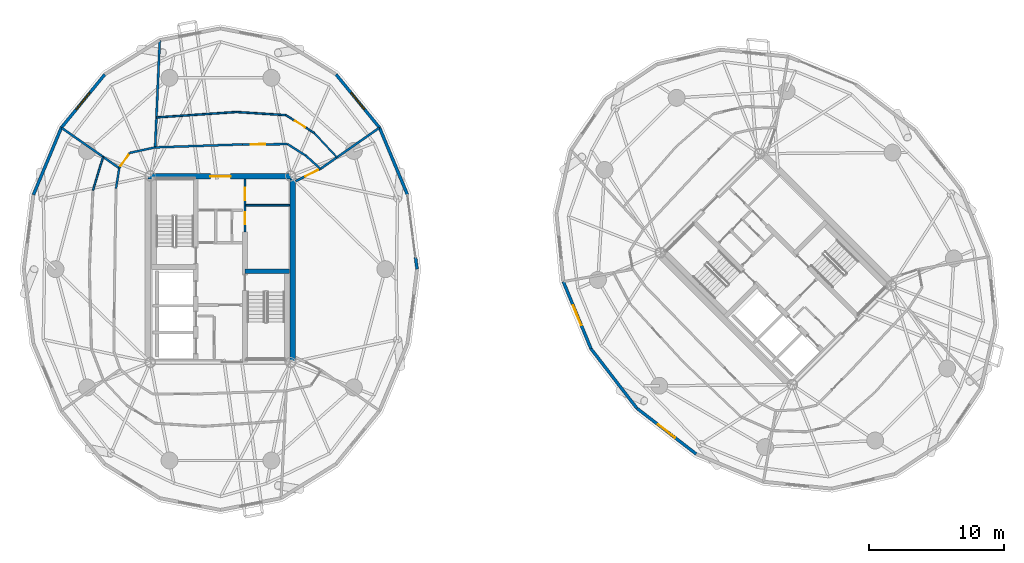
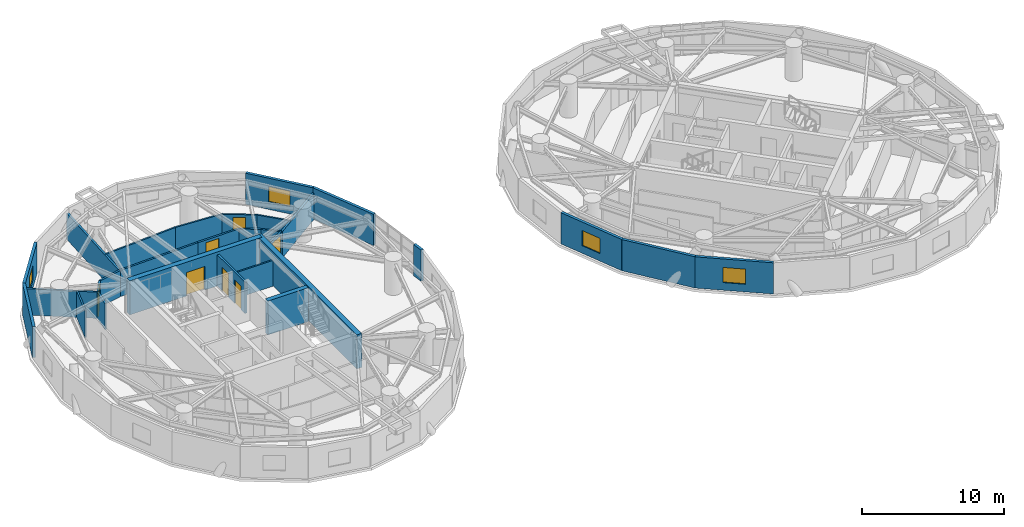
# One storey, part 11 of 17: 29 walls, 7 doors, 4 windows, 11 openings.
"""IFC4 building model written with IfcOpenShell, lengths in metres."""

from ifc_helpers import new_model, si_unit, direction, frame, frame_2d, origin, place, context, subcontext, project, spatial, rectangle, extrude, source, transform, mapped, material, layer, layer_set, type_object, element, fill, save


model = new_model("IFC4")

# Units and contexts
model_context = context("Model", 3, precision=1e-05, world=origin(), true_north=direction((0.0, 1.0)))
body_context = subcontext(model_context, "Body", "Model", "MODEL_VIEW")
ifc_project = project(units=[si_unit("LENGTHUNIT", "METRE"), si_unit("AREAUNIT", "SQUARE_METRE"), si_unit("VOLUMEUNIT", "CUBIC_METRE"), si_unit("PLANEANGLEUNIT", "RADIAN"), si_unit("MASSUNIT", "GRAM", prefix="KILO")], contexts=[model_context])

# Site, building, storey
site_placement = place(None, origin())
site = spatial("IfcSite", under=ifc_project, at=site_placement, CompositionType="ELEMENT")
building_placement = place(site_placement, origin())
building = spatial("IfcBuilding", under=site, at=building_placement, Name="Cununo Teusaquillo Station Towers", CompositionType="ELEMENT")
storey_placement = place(building_placement, frame((0.0, 0.0, 166.14990234375)))
storey = spatial("IfcBuildingStorey", under=building, at=storey_placement, Name="L52", CompositionType="ELEMENT", Elevation=166.14990234375)

# Walls
ifc_material_1 = material(Name="Concrete C50/60", Category="concrete")
ifc_layer_1 = layer(ifc_material_1, 0.35009765625)
ifc_layer_set_1 = layer_set([ifc_layer_1], Name="Concrete C50/60")
wall_type_1 = type_object("IfcWallType", Name="WL-CORE-350", PredefinedType="SHEAR", material=ifc_layer_set_1)
wall_1_placement = place(storey_placement, frame((18.31494140625, 24.344970703125, 0.0), z_axis=(0.0, 0.0, 1.0), x_axis=(1.0, 0.0, 0.0)))
element("IfcWall", 1, at=wall_1_placement, inside=storey, type_object=wall_type_1, Name="L52 Tower A Core Shear Wall ST2N", PredefinedType="SHEAR", context=body_context, shape_type="SweptSolid", body=[
    extrude(rectangle(XDim=3.28515625, YDim=0.35009765625, at=frame_2d((1.642578125, 0.0))), origin(), (0.0, 0.0, 1.0), 2.91015625),
])
ifc_material_2 = material(Name="Concrete C50/60", Category="concrete")
ifc_layer_2 = layer(ifc_material_2, 0.39990234375)
ifc_layer_set_2 = layer_set([ifc_layer_2], Name="Concrete C50/60")
wall_type_2 = type_object("IfcWallType", Name="WL-CORE-400", PredefinedType="SHEAR", material=ifc_layer_set_2)
wall_2_placement = place(storey_placement, frame((21.85009765625, 17.449951171875, 0.0), z_axis=(0.0, 0.0, 1.0), x_axis=(0.0, 1.0, 0.0)))
element("IfcWall", 2, at=wall_2_placement, inside=storey, type_object=wall_type_2, Name="L52 Tower A Core Shear Wall E", PredefinedType="SHEAR", context=body_context, shape_type="SweptSolid", body=[
    extrude(rectangle(XDim=14.10009765625, YDim=0.39990234375, at=frame_2d((7.050048828125, 0.0))), origin(), (0.0, 0.0, 1.0), 2.91015625),
])

# Wall, opening, door
wall_3_placement = place(storey_placement, frame((11.14990234375, 31.35009765625, 0.0), z_axis=(0.0, 0.0, 1.0), x_axis=(1.0, 0.0, 0.0)))
wall_3 = element("IfcWall", 3, at=wall_3_placement, inside=storey, type_object=wall_type_2, Name="L52 Tower A Core Shear Wall N", PredefinedType="SHEAR", context=body_context, shape_type="SweptSolid", body=[
    extrude(rectangle(XDim=10.7001953125, YDim=0.39990234375, at=frame_2d((5.35009765625, 0.0))), origin(), (0.0, 0.0, 1.0), 2.91015625),
])
shared_shape_1 = source(origin(), body_context, "Body", "SweptSolid", [
    extrude(rectangle(XDim=1.5, YDim=2.02001953125, at=frame_2d((0.75, 1.010009765625))), frame((0.0, 0.2099609375, 0.0), z_axis=(0.0, -1.0, 0.0), x_axis=(1.0, 0.0, 0.0)), (0.0, 0.0, 1.0), 0.419921875),
])
opening_1_placement = place(wall_3_placement, frame((4.60009765625, 0.0, 0.0)))
opening_1 = element("IfcOpeningElement", 4, at=opening_1_placement, cuts=wall_3, Name="Opening D-LB1", PredefinedType="OPENING", context=body_context, shape_type="MappedRepresentation", body=[
    mapped(shared_shape_1, transform((0.0, 0.0, 0.0), x_axis=(1.0, 0.0, 0.0), y_axis=(0.0, 1.0, 0.0), z_axis=(0.0, 0.0, 1.0), scale=1.0)),
])
ifc_material_3 = material(Name="Galvanised fire-rated hollow steel door assembly", Category="steel")
door_type_1 = type_object("IfcDoorType", Name="DR-LOBBY-1500", OperationType="DOUBLE_DOOR_SINGLE_SWING", PredefinedType="DOOR", material=ifc_material_3)
shared_shape_2 = source(origin(), body_context, "Body", "SweptSolid", [
    extrude(rectangle(XDim=1.5, YDim=2.02001953125, at=frame_2d((0.75, 1.010009765625))), frame((0.0, 0.02490234375, 0.0), z_axis=(0.0, -1.0, 0.0), x_axis=(1.0, 0.0, 0.0)), (0.0, 0.0, 1.0), 0.050048828125),
])
door_1_placement = place(opening_1_placement, origin())
door_1 = element("IfcDoor", 5, at=door_1_placement, inside=storey, type_object=door_type_1, Name="L52 Tower A North Core Lift Lobby Door", OperationType="DOUBLE_DOOR_SINGLE_SWING", OverallHeight=2.02001953125, OverallWidth=1.5, PredefinedType="DOOR", context=body_context, shape_type="MappedRepresentation", body=[
    mapped(shared_shape_2, transform((0.0, 0.0, 0.0), x_axis=(1.0, 0.0, 0.0), y_axis=(0.0, 1.0, 0.0), z_axis=(0.0, 0.0, 1.0), scale=1.0)),
])
fill(opening_1, door_1)

# Walls
ifc_material_4 = material(Name="Precast concrete C40/50", Category="concrete")
ifc_layer_3 = layer(ifc_material_4, 0.219970703125)
ifc_layer_set_3 = layer_set([ifc_layer_3], Name="Precast concrete C40/50")
wall_type_3 = type_object("IfcWallType", Name="WL-EXT-220", PredefinedType="SOLIDWALL", material=ifc_layer_set_3)
wall_4_placement = place(storey_placement, frame((30.9033203125, 25.36279296875, 0.0), z_axis=(0.0, 0.0, 1.0), x_axis=(0.128247365719, -0.991742211054, 0.0)))
element("IfcWall", 6, at=wall_4_placement, inside=storey, type_object=wall_type_3, Name="L52 Tower A Column Pier Cladding Wall C00-PB", PredefinedType="SOLIDWALL", context=body_context, shape_type="SweptSolid", body=[
    extrude(rectangle(XDim=0.869873046875, YDim=0.219970703125, at=frame_2d((0.43505859375, 0.0))), origin(), (0.0, 0.0, 1.0), 2.675048828125),
])
wall_5_placement = place(storey_placement, frame((28.242919921875, 34.94482421875, 0.0), z_axis=(0.0, 0.0, 1.0), x_axis=(0.384259959969, -0.923224936386, 0.0)))
element("IfcWall", 7, at=wall_5_placement, inside=storey, type_object=wall_type_3, Name="L52 Tower A Exterior Facade Wall C01", PredefinedType="SOLIDWALL", context=body_context, shape_type="SweptSolid", body=[
    extrude(rectangle(XDim=5.365478515625, YDim=0.219970703125, at=frame_2d((2.6826171875, 0.0))), origin(), (0.0, 0.0, 1.0), 2.675048828125),
])

# Wall, opening, window
wall_6_placement = place(storey_placement, frame((25.03173828125, 38.876220703125, 0.0), z_axis=(0.0, 0.0, 1.0), x_axis=(0.632598524901, -0.774479894053, 0.0)))
wall_6 = element("IfcWall", 8, at=wall_6_placement, inside=storey, type_object=wall_type_3, Name="L52 Tower A Exterior Facade Wall C02", PredefinedType="SOLIDWALL", context=body_context, shape_type="SweptSolid", body=[
    extrude(rectangle(XDim=5.076171875, YDim=0.219970703125, at=frame_2d((2.5380859375, 0.0))), origin(), (0.0, 0.0, 1.0), 2.675048828125),
])
shared_shape_3 = source(origin(), body_context, "Body", "SweptSolid", [
    extrude(rectangle(XDim=1.60009765625, YDim=1.300048828125, at=frame_2d((0.800048828125, 0.64990234375))), frame((0.0, 0.119873046875, 0.0), z_axis=(0.0, -1.0, 0.0), x_axis=(1.0, 0.0, 0.0)), (0.0, 0.0, 1.0), 0.239990234375),
])
opening_2_placement = place(wall_6_placement, frame((1.738037109375, 0.0, 0.64990234375)))
opening_2 = element("IfcOpeningElement", 9, at=opening_2_placement, cuts=wall_6, Name="Opening WN-03", PredefinedType="OPENING", context=body_context, shape_type="MappedRepresentation", body=[
    mapped(shared_shape_3, transform((0.0, 0.0, 0.0), x_axis=(1.0, 0.0, 0.0), y_axis=(0.0, 1.0, 0.0), z_axis=(0.0, 0.0, 1.0), scale=1.0)),
])
ifc_material_5 = material(Name="Ceramic-fritted dark low-E double glazing", Category="glass")
window_type = type_object("IfcWindowType", Name="WIN-CORN-1600", PartitioningType="SINGLE_PANEL", PredefinedType="WINDOW", material=ifc_material_5)
shared_shape_4 = source(origin(), body_context, "Body", "SweptSolid", [
    extrude(rectangle(XDim=1.60009765625, YDim=1.300048828125, at=frame_2d((0.800048828125, 0.64990234375))), frame((0.0, 0.030029296875, 0.0), z_axis=(0.0, -1.0, 0.0), x_axis=(1.0, 0.0, 0.0)), (0.0, 0.0, 1.0), 0.06005859375),
])
window_1_placement = place(opening_2_placement, origin())
window_1 = element("IfcWindow", 10, at=window_1_placement, inside=storey, type_object=window_type, Name="L52 Tower A Facade Window C02", OverallHeight=1.300048828125, OverallWidth=1.60009765625, PartitioningType="SINGLE_PANEL", PredefinedType="WINDOW", context=body_context, shape_type="MappedRepresentation", body=[
    mapped(shared_shape_4, transform((0.0, 0.0, 0.0), x_axis=(1.0, 0.0, 0.0), y_axis=(0.0, 1.0, 0.0), z_axis=(0.0, 0.0, 1.0), scale=1.0)),
])
fill(opening_2, window_1)

wall_7_placement = place(storey_placement, frame((4.757080078125, 34.94482421875, 0.0), z_axis=(0.0, 0.0, 1.0), x_axis=(0.632598524901, 0.774479894053, 0.0)))
wall_7 = element("IfcWall", 11, at=wall_7_placement, inside=storey, type_object=wall_type_3, Name="L52 Tower A Exterior Facade Wall C07", PredefinedType="SOLIDWALL", context=body_context, shape_type="SweptSolid", body=[
    extrude(rectangle(XDim=5.076171875, YDim=0.219970703125, at=frame_2d((2.5380859375, 0.0))), origin(), (0.0, 0.0, 1.0), 2.675048828125),
])
opening_3_placement = place(wall_7_placement, frame((1.738037109375, 0.0, 0.64990234375)))
opening_3 = element("IfcOpeningElement", 12, at=opening_3_placement, cuts=wall_7, Name="Opening WN-03", PredefinedType="OPENING", context=body_context, shape_type="MappedRepresentation", body=[
    mapped(shared_shape_3, transform((0.0, 0.0, 0.0), x_axis=(1.0, 0.0, 0.0), y_axis=(0.0, 1.0, 0.0), z_axis=(0.0, 0.0, 1.0), scale=1.0)),
])
window_2_placement = place(opening_3_placement, origin())
window_2 = element("IfcWindow", 13, at=window_2_placement, inside=storey, type_object=window_type, Name="L52 Tower A Facade Window C07", OverallHeight=1.300048828125, OverallWidth=1.60009765625, PartitioningType="SINGLE_PANEL", PredefinedType="WINDOW", context=body_context, shape_type="MappedRepresentation", body=[
    mapped(shared_shape_4, transform((0.0, 0.0, 0.0), x_axis=(1.0, 0.0, 0.0), y_axis=(0.0, 1.0, 0.0), z_axis=(0.0, 0.0, 1.0), scale=1.0)),
])
fill(opening_3, window_2)

# Wall
wall_8_placement = place(storey_placement, frame((2.6953125, 29.9912109375, 0.0), z_axis=(0.0, 0.0, 1.0), x_axis=(0.384259959969, 0.923224936386, 0.0)))
element("IfcWall", 14, at=wall_8_placement, inside=storey, type_object=wall_type_3, Name="L52 Tower A Exterior Facade Wall C08", PredefinedType="SOLIDWALL", context=body_context, shape_type="SweptSolid", body=[
    extrude(rectangle(XDim=5.365478515625, YDim=0.219970703125, at=frame_2d((2.6826171875, 0.0))), origin(), (0.0, 0.0, 1.0), 2.675048828125),
])

# Wall, opening, window
wall_9_placement = place(storey_placement, frame((43.855712890625, 18.62158203125, 0.0), z_axis=(0.0, 0.0, 1.0), x_axis=(-0.38111364655, 0.924528197738, 0.0)))
wall_9 = element("IfcWall", 15, at=wall_9_placement, inside=storey, type_object=wall_type_3, Name="L52 Tower B Exterior Facade Wall C08", PredefinedType="SOLIDWALL", context=body_context, shape_type="SweptSolid", body=[
    extrude(rectangle(XDim=5.36572265625, YDim=0.219970703125, at=frame_2d((2.682861328125, 0.0))), origin(), (0.0, 0.0, 1.0), 2.675048828125),
])
opening_4_placement = place(wall_9_placement, frame((1.883056640625, 0.0, 0.64990234375)))
opening_4 = element("IfcOpeningElement", 16, at=opening_4_placement, cuts=wall_9, Name="Opening WN-03", PredefinedType="OPENING", context=body_context, shape_type="MappedRepresentation", body=[
    mapped(shared_shape_3, transform((0.0, 0.0, 0.0), x_axis=(1.0, 0.0, 0.0), y_axis=(0.0, 1.0, 0.0), z_axis=(0.0, 0.0, 1.0), scale=1.0)),
])
window_3_placement = place(opening_4_placement, origin())
window_3 = element("IfcWindow", 17, at=window_3_placement, inside=storey, type_object=window_type, Name="L52 Tower B Facade Window C08", OverallHeight=1.300048828125, OverallWidth=1.60009765625, PartitioningType="SINGLE_PANEL", PredefinedType="WINDOW", context=body_context, shape_type="MappedRepresentation", body=[
    mapped(shared_shape_4, transform((0.0, 0.0, 0.0), x_axis=(1.0, 0.0, 0.0), y_axis=(0.0, 1.0, 0.0), z_axis=(0.0, 0.0, 1.0), scale=1.0)),
])
fill(opening_4, window_3)

# Wall
wall_10_placement = place(storey_placement, frame((47.236328125, 14.236328125, 0.0), z_axis=(0.0, 0.0, 1.0), x_axis=(-0.610543584779, 0.791982658323, 0.0)))
element("IfcWall", 18, at=wall_10_placement, inside=storey, type_object=wall_type_3, Name="L52 Tower B Exterior Facade Wall C09", PredefinedType="SOLIDWALL", context=body_context, shape_type="SweptSolid", body=[
    extrude(rectangle(XDim=5.537109375, YDim=0.219970703125, at=frame_2d((2.7685546875, 0.0))), origin(), (0.0, 0.0, 1.0), 2.675048828125),
])

# Wall, opening, window
wall_11_placement = place(storey_placement, frame((51.62158203125, 10.855712890625, 0.0), z_axis=(0.0, 0.0, 1.0), x_axis=(-0.791982658323, 0.610543584779, 0.0)))
wall_11 = element("IfcWall", 19, at=wall_11_placement, inside=storey, type_object=wall_type_3, Name="L52 Tower B Exterior Facade Wall C10", PredefinedType="SOLIDWALL", context=body_context, shape_type="SweptSolid", body=[
    extrude(rectangle(XDim=5.537109375, YDim=0.219970703125, at=frame_2d((2.7685546875, 0.0))), origin(), (0.0, 0.0, 1.0), 2.675048828125),
])
opening_5_placement = place(wall_11_placement, frame((1.968017578125, 0.0, 0.64990234375)))
opening_5 = element("IfcOpeningElement", 20, at=opening_5_placement, cuts=wall_11, Name="Opening WN-03", PredefinedType="OPENING", context=body_context, shape_type="MappedRepresentation", body=[
    mapped(shared_shape_3, transform((0.0, 0.0, 0.0), x_axis=(1.0, 0.0, 0.0), y_axis=(0.0, 1.0, 0.0), z_axis=(0.0, 0.0, 1.0), scale=1.0)),
])
window_4_placement = place(opening_5_placement, origin())
window_4 = element("IfcWindow", 21, at=window_4_placement, inside=storey, type_object=window_type, Name="L52 Tower B Facade Window C10", OverallHeight=1.300048828125, OverallWidth=1.60009765625, PartitioningType="SINGLE_PANEL", PredefinedType="WINDOW", context=body_context, shape_type="MappedRepresentation", body=[
    mapped(shared_shape_4, transform((0.0, 0.0, 0.0), x_axis=(1.0, 0.0, 0.0), y_axis=(0.0, 1.0, 0.0), z_axis=(0.0, 0.0, 1.0), scale=1.0)),
])
fill(opening_5, window_4)

# Walls
ifc_material_6 = material(Name="Fire-rated gypsum plasterboard partition assembly", Category="gypsum")
ifc_layer_4 = layer(ifc_material_6, 0.125)
ifc_layer_set_4 = layer_set([ifc_layer_4], Name="Fire-rated gypsum plasterboard partition assembly")
wall_type_4 = type_object("IfcWallType", Name="WL-PART-125", PredefinedType="PARTITIONING", material=ifc_layer_set_4)
wall_12_placement = place(storey_placement, frame((18.3798828125, 29.219970703125, 0.0), z_axis=(0.0, 0.0, 1.0), x_axis=(1.0, 0.0, 0.0)))
element("IfcWall", 22, at=wall_12_placement, inside=storey, type_object=wall_type_4, Name="L52 Tower A Reclaimed Bay Divider Wall", PredefinedType="PARTITIONING", context=body_context, shape_type="SweptSolid", body=[
    extrude(rectangle(XDim=3.22021484375, YDim=0.125, at=frame_2d((1.610107421875, 0.0))), origin(), (0.0, 0.0, 1.0), 2.212158203125),
])
wall_13_placement = place(storey_placement, frame((25.10205078125, 32.75390625, 0.0), z_axis=(0.0, 0.0, 1.0), x_axis=(-0.682434647851, 0.730946613243, 0.0)))
element("IfcWall", 23, at=wall_13_placement, inside=storey, type_object=wall_type_4, Name="L52 Tower A High-Zone Club Reading & Dining Hall Concentric Partition Wall C02", PredefinedType="PARTITIONING", context=body_context, shape_type="SweptSolid", body=[
    extrude(rectangle(XDim=2.466064453125, YDim=0.125, at=frame_2d((1.23291015625, 0.0))), origin(), (0.0, 0.0, 1.0), 2.2451171875),
])

# Wall, opening, door
wall_14_placement = place(storey_placement, frame((23.419189453125, 34.556396484375, 0.0), z_axis=(0.0, 0.0, 1.0), x_axis=(-0.846723136015, 0.532033768605, 0.0)))
wall_14 = element("IfcWall", 24, at=wall_14_placement, inside=storey, type_object=wall_type_4, Name="L52 Tower A High-Zone Club Reading & Dining Hall Concentric Partition Wall C03", PredefinedType="PARTITIONING", context=body_context, shape_type="SweptSolid", body=[
    extrude(rectangle(XDim=2.4677734375, YDim=0.125, at=frame_2d((1.23388671875, 0.0))), origin(), (0.0, 0.0, 1.0), 2.2451171875),
])
shared_shape_5 = source(origin(), body_context, "Body", "SweptSolid", [
    extrude(rectangle(XDim=0.89990234375, YDim=2.0048828125, at=frame_2d((0.449951171875, 1.00244140625))), frame((0.0, 0.072509765625, 0.0), z_axis=(0.0, -1.0, 0.0), x_axis=(1.0, 0.0, 0.0)), (0.0, 0.0, 1.0), 0.14501953125),
])
opening_6_placement = place(wall_14_placement, frame((0.783935546875, 0.0, 0.0)))
opening_6 = element("IfcOpeningElement", 25, at=opening_6_placement, cuts=wall_14, Name="Opening D-IN1", PredefinedType="OPENING", context=body_context, shape_type="MappedRepresentation", body=[
    mapped(shared_shape_5, transform((0.0, 0.0, 0.0), x_axis=(1.0, 0.0, 0.0), y_axis=(0.0, 1.0, 0.0), z_axis=(0.0, 0.0, 1.0), scale=1.0)),
])
ifc_material_7 = material(Name="Acoustic solid-core hardwood leaf assembly", Category="wood")
door_type_2 = type_object("IfcDoorType", Name="DR-INT-900", OperationType="NOTDEFINED", PredefinedType="DOOR", material=ifc_material_7)
shared_shape_6 = source(origin(), body_context, "Body", "SweptSolid", [
    extrude(rectangle(XDim=0.89990234375, YDim=2.0048828125, at=frame_2d((0.449951171875, 1.00244140625))), frame((0.0, 0.02490234375, 0.0), z_axis=(0.0, -1.0, 0.0), x_axis=(1.0, 0.0, 0.0)), (0.0, 0.0, 1.0), 0.050048828125),
])
door_2_placement = place(opening_6_placement, origin())
door_2 = element("IfcDoor", 26, at=door_2_placement, inside=storey, type_object=door_type_2, Name="L52 Tower A High-Zone Club Reading & Dining Hall Connecting Door", OperationType="SINGLE_SWING_RIGHT", OverallHeight=2.0048828125, OverallWidth=0.89990234375, PredefinedType="DOOR", context=body_context, shape_type="MappedRepresentation", body=[
    mapped(shared_shape_6, transform((0.0, 0.0, 0.0), x_axis=(1.0, 0.0, 0.0), y_axis=(0.0, 1.0, 0.0), z_axis=(0.0, 0.0, 1.0), scale=1.0)),
])
fill(opening_6, door_2)

# Walls
wall_15_placement = place(storey_placement, frame((21.32958984375, 35.869384765625, 0.0), z_axis=(0.0, 0.0, 1.0), x_axis=(-0.998008048565, 0.063086726015, 0.0)))
element("IfcWall", 27, at=wall_15_placement, inside=storey, type_object=wall_type_4, Name="L52 Tower A High-Zone Club Reading & Dining Hall Concentric Partition Wall C04", PredefinedType="PARTITIONING", context=body_context, shape_type="SweptSolid", body=[
    extrude(rectangle(XDim=3.668701171875, YDim=0.125, at=frame_2d((1.83447265625, 0.0))), origin(), (0.0, 0.0, 1.0), 2.2451171875),
])
wall_16_placement = place(storey_placement, frame((17.668212890625, 36.100830078125, 0.0), z_axis=(0.0, 0.0, 1.0), x_axis=(-0.997685095246, -0.068003314066, 0.0)))
element("IfcWall", 28, at=wall_16_placement, inside=storey, type_object=wall_type_4, Name="L52 Tower A High-Zone Club Reading & Dining Hall Concentric Partition Wall C05", PredefinedType="PARTITIONING", context=body_context, shape_type="SweptSolid", body=[
    extrude(rectangle(XDim=5.90576171875, YDim=0.125, at=frame_2d((2.952880859375, 0.0))), origin(), (0.0, 0.0, 1.0), 2.2451171875),
])
wall_17_placement = place(storey_placement, frame((7.840087890625, 32.791015625, 0.0), z_axis=(0.0, 0.0, 1.0), x_axis=(-0.290387415435, -0.956909164423, 0.0)))
element("IfcWall", 29, at=wall_17_placement, inside=storey, type_object=wall_type_4, Name="L52 Tower A Sabana Wellness & Spa Lounge Concentric Partition Wall C08", PredefinedType="PARTITIONING", context=body_context, shape_type="SweptSolid", body=[
    extrude(rectangle(XDim=2.585205078125, YDim=0.125, at=frame_2d((1.29248046875, 0.0))), origin(), (0.0, 0.0, 1.0), 2.2451171875),
])
ifc_material_8 = material(Name="Fire-rated gypsum plasterboard partition assembly", Category="gypsum")
ifc_layer_5 = layer(ifc_material_8, 0.14990234375)
ifc_layer_set_5 = layer_set([ifc_layer_5], Name="Fire-rated gypsum plasterboard partition assembly")
wall_type_5 = type_object("IfcWallType", Name="WL-PART-150", PredefinedType="PARTITIONING", material=ifc_layer_set_5)
wall_18_placement = place(storey_placement, frame((23.886962890625, 31.90625, 0.0), z_axis=(0.0, 0.0, 1.0), x_axis=(-0.744900957214, 0.66717506244, 0.0)))
element("IfcWall", 30, at=wall_18_placement, inside=storey, type_object=wall_type_5, Name="L52 Tower A Corridor Ring Wall C02", PredefinedType="PARTITIONING", context=body_context, shape_type="SweptSolid", body=[
    extrude(rectangle(XDim=1.463623046875, YDim=0.14990234375, at=frame_2d((0.73193359375, 0.0))), origin(), (0.0, 0.0, 1.0), 2.2451171875),
])
wall_19_placement = place(storey_placement, frame((22.796630859375, 32.8828125, 0.0), z_axis=(0.0, 0.0, 1.0), x_axis=(-0.84484009232, 0.535018895375, 0.0)))
element("IfcWall", 31, at=wall_19_placement, inside=storey, type_object=wall_type_5, Name="L52 Tower A Corridor Ring Wall C03", PredefinedType="PARTITIONING", context=body_context, shape_type="SweptSolid", body=[
    extrude(rectangle(XDim=1.5751953125, YDim=0.14990234375, at=frame_2d((0.78759765625, 0.0))), origin(), (0.0, 0.0, 1.0), 2.2451171875),
])

# Wall, opening, door
wall_20_placement = place(storey_placement, frame((21.4658203125, 33.7255859375, 0.0), z_axis=(0.0, 0.0, 1.0), x_axis=(-0.99998838579, -0.004819573058, 0.0)))
wall_20 = element("IfcWall", 32, at=wall_20_placement, inside=storey, type_object=wall_type_5, Name="L52 Tower A Corridor Ring Wall C04", PredefinedType="PARTITIONING", context=body_context, shape_type="SweptSolid", body=[
    extrude(rectangle(XDim=3.34326171875, YDim=0.14990234375, at=frame_2d((1.671630859375, 0.0))), origin(), (0.0, 0.0, 1.0), 2.2451171875),
])
shared_shape_7 = source(origin(), body_context, "Body", "SweptSolid", [
    extrude(rectangle(XDim=1.050048828125, YDim=2.014892578125, at=frame_2d((0.52490234375, 1.00732421875))), frame((0.0, 0.0849609375, 0.0), z_axis=(0.0, -1.0, 0.0), x_axis=(1.0, 0.0, 0.0)), (0.0, 0.0, 1.0), 0.169921875),
])
opening_7_placement = place(wall_20_placement, frame((1.659912109375, 0.0, 0.0)))
opening_7 = element("IfcOpeningElement", 33, at=opening_7_placement, cuts=wall_20, Name="Opening D-SU1", PredefinedType="OPENING", context=body_context, shape_type="MappedRepresentation", body=[
    mapped(shared_shape_7, transform((0.0, 0.0, 0.0), x_axis=(1.0, 0.0, 0.0), y_axis=(0.0, 1.0, 0.0), z_axis=(0.0, 0.0, 1.0), scale=1.0)),
])
ifc_material_9 = material(Name="Acoustic solid-core hardwood leaf assembly", Category="wood")
door_type_3 = type_object("IfcDoorType", Name="DR-SUITE-1050", OperationType="NOTDEFINED", PredefinedType="DOOR", material=ifc_material_9)
shared_shape_8 = source(origin(), body_context, "Body", "SweptSolid", [
    extrude(rectangle(XDim=1.050048828125, YDim=2.014892578125, at=frame_2d((0.52490234375, 1.00732421875))), frame((0.0, 0.02490234375, 0.0), z_axis=(0.0, -1.0, 0.0), x_axis=(1.0, 0.0, 0.0)), (0.0, 0.0, 1.0), 0.050048828125),
])
door_3_placement = place(opening_7_placement, origin())
door_3 = element("IfcDoor", 34, at=door_3_placement, inside=storey, type_object=door_type_3, Name="L52 Tower A High-Zone Club Reading & Dining Hall Entrance Door", OperationType="SINGLE_SWING_LEFT", OverallHeight=2.014892578125, OverallWidth=1.050048828125, PredefinedType="DOOR", context=body_context, shape_type="MappedRepresentation", body=[
    mapped(shared_shape_8, transform((0.0, 0.0, 0.0), x_axis=(1.0, 0.0, 0.0), y_axis=(0.0, 1.0, 0.0), z_axis=(0.0, 0.0, 1.0), scale=1.0)),
])
fill(opening_7, door_3)

# Walls
wall_21_placement = place(storey_placement, frame((18.12255859375, 33.70947265625, 0.0), z_axis=(0.0, 0.0, 1.0), x_axis=(-0.999417459976, -0.034128297572, 0.0)))
element("IfcWall", 35, at=wall_21_placement, inside=storey, type_object=wall_type_5, Name="L52 Tower A Corridor Ring Wall C05", PredefinedType="PARTITIONING", context=body_context, shape_type="SweptSolid", body=[
    extrude(rectangle(XDim=6.4453125, YDim=0.14990234375, at=frame_2d((3.22265625, 0.0))), origin(), (0.0, 0.0, 1.0), 2.2451171875),
])
wall_22_placement = place(storey_placement, frame((11.680908203125, 33.489501953125, 0.0), z_axis=(0.0, 0.0, 1.0), x_axis=(-0.977628265995, -0.2103401377, 0.0)))
element("IfcWall", 36, at=wall_22_placement, inside=storey, type_object=wall_type_5, Name="L52 Tower A Corridor Ring Wall C06", PredefinedType="PARTITIONING", context=body_context, shape_type="SweptSolid", body=[
    extrude(rectangle(XDim=1.91162109375, YDim=0.14990234375, at=frame_2d((0.955810546875, 0.0))), origin(), (0.0, 0.0, 1.0), 2.2451171875),
])

# Wall, opening, door
wall_23_placement = place(storey_placement, frame((9.81201171875, 33.08740234375, 0.0), z_axis=(0.0, 0.0, 1.0), x_axis=(-0.567811958729, -0.823158295545, 0.0)))
wall_23 = element("IfcWall", 37, at=wall_23_placement, inside=storey, type_object=wall_type_5, Name="L52 Tower A Corridor Ring Wall C07", PredefinedType="PARTITIONING", context=body_context, shape_type="SweptSolid", body=[
    extrude(rectangle(XDim=1.3720703125, YDim=0.14990234375, at=frame_2d((0.68603515625, 0.0))), origin(), (0.0, 0.0, 1.0), 2.2451171875),
])
shared_shape_9 = source(origin(), body_context, "Body", "SweptSolid", [
    extrude(rectangle(XDim=1.0, YDim=2.014892578125, at=frame_2d((0.5, 1.00732421875))), frame((0.0, 0.0849609375, 0.0), z_axis=(0.0, -1.0, 0.0), x_axis=(1.0, 0.0, 0.0)), (0.0, 0.0, 1.0), 0.169921875),
])
opening_8_placement = place(wall_23_placement, frame((0.18603515625, 0.0, 0.0)))
opening_8 = element("IfcOpeningElement", 38, at=opening_8_placement, cuts=wall_23, Name="Opening D-AC1", PredefinedType="OPENING", context=body_context, shape_type="MappedRepresentation", body=[
    mapped(shared_shape_9, transform((0.0, 0.0, 0.0), x_axis=(1.0, 0.0, 0.0), y_axis=(0.0, 1.0, 0.0), z_axis=(0.0, 0.0, 1.0), scale=1.0)),
])
ifc_material_10 = material(Name="Acoustic solid-core hardwood leaf assembly", Category="wood")
door_type_4 = type_object("IfcDoorType", Name="DR-ACC-1000", OperationType="NOTDEFINED", PredefinedType="DOOR", material=ifc_material_10)
shared_shape_10 = source(origin(), body_context, "Body", "SweptSolid", [
    extrude(rectangle(XDim=1.0, YDim=2.014892578125, at=frame_2d((0.5, 1.00732421875))), frame((0.0, 0.02490234375, 0.0), z_axis=(0.0, -1.0, 0.0), x_axis=(1.0, 0.0, 0.0)), (0.0, 0.0, 1.0), 0.050048828125),
])
door_4_placement = place(opening_8_placement, origin())
door_4 = element("IfcDoor", 39, at=door_4_placement, inside=storey, type_object=door_type_4, Name="L52 Tower A Public Accessible Restroom WC Entrance Door", OperationType="SINGLE_SWING_LEFT", OverallHeight=2.014892578125, OverallWidth=1.0, PredefinedType="DOOR", context=body_context, shape_type="MappedRepresentation", body=[
    mapped(shared_shape_10, transform((0.0, 0.0, 0.0), x_axis=(1.0, 0.0, 0.0), y_axis=(0.0, 1.0, 0.0), z_axis=(0.0, 0.0, 1.0), scale=1.0)),
])
fill(opening_8, door_4)

# Wall
wall_24_placement = place(storey_placement, frame((9.032958984375, 31.9580078125, 0.0), z_axis=(0.0, 0.0, 1.0), x_axis=(-0.158344987388, -0.98738384885, 0.0)))
element("IfcWall", 40, at=wall_24_placement, inside=storey, type_object=wall_type_5, Name="L52 Tower A Corridor Ring Wall C08", PredefinedType="PARTITIONING", context=body_context, shape_type="SweptSolid", body=[
    extrude(rectangle(XDim=1.531005859375, YDim=0.14990234375, at=frame_2d((0.765625, 0.0))), origin(), (0.0, 0.0, 1.0), 2.2451171875),
])

# Wall, openings, doors
ifc_material_11 = material(Name="Fire-rated gypsum plasterboard partition assembly", Category="gypsum")
ifc_layer_6 = layer(ifc_material_11, 0.159912109375)
ifc_layer_set_6 = layer_set([ifc_layer_6], Name="Fire-rated gypsum plasterboard partition assembly")
wall_type_6 = type_object("IfcWallType", Name="WL-PART-160", PredefinedType="PARTITIONING", material=ifc_layer_set_6)
wall_25_placement = place(storey_placement, frame((18.31494140625, 27.25, 0.0), z_axis=(0.0, 0.0, 1.0), x_axis=(0.0, 1.0, 0.0)))
wall_25 = element("IfcWall", 41, at=wall_25_placement, inside=storey, type_object=wall_type_6, Name="L52 Tower A Reclaimed Core Bay Entry Wall", PredefinedType="PARTITIONING", context=body_context, shape_type="SweptSolid", body=[
    extrude(rectangle(XDim=3.89990234375, YDim=0.159912109375, at=frame_2d((1.949951171875, 0.0))), origin(), (0.0, 0.0, 1.0), 2.675048828125),
])
shared_shape_11 = source(origin(), body_context, "Body", "SweptSolid", [
    extrude(rectangle(XDim=0.89990234375, YDim=2.0048828125, at=frame_2d((0.449951171875, 1.00244140625))), frame((0.0, 0.08984375, 0.0), z_axis=(0.0, -1.0, 0.0), x_axis=(1.0, 0.0, 0.0)), (0.0, 0.0, 1.0), 0.179931640625),
])
opening_9_placement = place(wall_25_placement, frame((0.550048828125, 0.0, 0.0)))
opening_9 = element("IfcOpeningElement", 42, at=opening_9_placement, cuts=wall_25, Name="Opening D-IN1", PredefinedType="OPENING", context=body_context, shape_type="MappedRepresentation", body=[
    mapped(shared_shape_11, transform((0.0, 0.0, 0.0), x_axis=(1.0, 0.0, 0.0), y_axis=(0.0, 1.0, 0.0), z_axis=(0.0, 0.0, 1.0), scale=1.0)),
])
opening_10_placement = place(wall_25_placement, frame((2.35009765625, 0.0, 0.0)))
opening_10 = element("IfcOpeningElement", 43, at=opening_10_placement, cuts=wall_25, Name="Opening D-IN1", PredefinedType="OPENING", context=body_context, shape_type="MappedRepresentation", body=[
    mapped(shared_shape_11, transform((0.0, 0.0, 0.0), x_axis=(1.0, 0.0, 0.0), y_axis=(0.0, 1.0, 0.0), z_axis=(0.0, 0.0, 1.0), scale=1.0)),
])
door_5_placement = place(opening_9_placement, origin())
door_5 = element("IfcDoor", 44, at=door_5_placement, inside=storey, type_object=door_type_2, Name="L52 Tower A Reclaimed Core Study Door", OperationType="SINGLE_SWING_LEFT", OverallHeight=2.0048828125, OverallWidth=0.89990234375, PredefinedType="DOOR", context=body_context, shape_type="MappedRepresentation", body=[
    mapped(shared_shape_6, transform((0.0, 0.0, 0.0), x_axis=(1.0, 0.0, 0.0), y_axis=(0.0, 1.0, 0.0), z_axis=(0.0, 0.0, 1.0), scale=1.0)),
])
fill(opening_9, door_5)
door_6_placement = place(opening_10_placement, origin())
door_6 = element("IfcDoor", 45, at=door_6_placement, inside=storey, type_object=door_type_2, Name="L52 Tower A Reclaimed Core Pantry Door", OperationType="SINGLE_SWING_RIGHT", OverallHeight=2.0048828125, OverallWidth=0.89990234375, PredefinedType="DOOR", context=body_context, shape_type="MappedRepresentation", body=[
    mapped(shared_shape_6, transform((0.0, 0.0, 0.0), x_axis=(1.0, 0.0, 0.0), y_axis=(0.0, 1.0, 0.0), z_axis=(0.0, 0.0, 1.0), scale=1.0)),
])
fill(opening_10, door_6)

# Walls
wall_26_placement = place(storey_placement, frame((23.886962890625, 31.90625, 0.0), z_axis=(0.0, 0.0, 1.0), x_axis=(0.820210533929, 0.572061779908, 0.0)))
element("IfcWall", 46, at=wall_26_placement, inside=storey, type_object=wall_type_6, Name="L52 Tower A Radial Suite Partition R01", PredefinedType="PARTITIONING", context=body_context, shape_type="SweptSolid", body=[
    extrude(rectangle(XDim=5.291015625, YDim=0.159912109375, at=frame_2d((2.6455078125, 0.0))), origin(), (0.0, 0.0, 1.0), 2.2451171875),
])
wall_27_placement = place(storey_placement, frame((11.680908203125, 33.489501953125, 0.0), z_axis=(0.0, 0.0, 1.0), x_axis=(0.043022772958, 0.999074091851, 0.0)))
element("IfcWall", 47, at=wall_27_placement, inside=storey, type_object=wall_type_6, Name="L52 Tower A Radial Suite Partition R02", PredefinedType="PARTITIONING", context=body_context, shape_type="SweptSolid", body=[
    extrude(rectangle(XDim=7.899169921875, YDim=0.159912109375, at=frame_2d((3.94970703125, 0.0))), origin(), (0.0, 0.0, 1.0), 2.2451171875),
])
wall_28_placement = place(storey_placement, frame((9.032958984375, 31.9580078125, 0.0), z_axis=(0.0, 0.0, 1.0), x_axis=(-0.819840720998, 0.572591645236, 0.0)))
element("IfcWall", 48, at=wall_28_placement, inside=storey, type_object=wall_type_6, Name="L52 Tower A Radial Suite Partition R03", PredefinedType="PARTITIONING", context=body_context, shape_type="SweptSolid", body=[
    extrude(rectangle(XDim=5.19580078125, YDim=0.159912109375, at=frame_2d((2.597900390625, 0.0))), origin(), (0.0, 0.0, 1.0), 2.2451171875),
])

# Wall, opening, door
wall_29_placement = place(storey_placement, frame((22.050048828125, 31.0, 0.0), z_axis=(0.0, 0.0, 1.0), x_axis=(0.896798317999, 0.442439574218, 0.0)))
wall_29 = element("IfcWall", 49, at=wall_29_placement, inside=storey, type_object=wall_type_6, Name="L52 Tower A East Salon Corridor Portal Wall NE", PredefinedType="PARTITIONING", context=body_context, shape_type="SweptSolid", body=[
    extrude(rectangle(XDim=2.04833984375, YDim=0.159912109375, at=frame_2d((1.024169921875, 0.0))), origin(), (0.0, 0.0, 1.0), 2.2451171875),
])
shared_shape_12 = source(origin(), body_context, "Body", "SweptSolid", [
    extrude(rectangle(XDim=1.050048828125, YDim=2.014892578125, at=frame_2d((0.52490234375, 1.00732421875))), frame((0.0, 0.08984375, 0.0), z_axis=(0.0, -1.0, 0.0), x_axis=(1.0, 0.0, 0.0)), (0.0, 0.0, 1.0), 0.179931640625),
])
opening_11_placement = place(wall_29_placement, frame((0.79833984375, 0.0, 0.0)))
opening_11 = element("IfcOpeningElement", 50, at=opening_11_placement, cuts=wall_29, Name="Opening D-SU1", PredefinedType="OPENING", context=body_context, shape_type="MappedRepresentation", body=[
    mapped(shared_shape_12, transform((0.0, 0.0, 0.0), x_axis=(1.0, 0.0, 0.0), y_axis=(0.0, 1.0, 0.0), z_axis=(0.0, 0.0, 1.0), scale=1.0)),
])
door_7_placement = place(opening_11_placement, origin())
door_7 = element("IfcDoor", 51, at=door_7_placement, inside=storey, type_object=door_type_3, Name="L52 Tower A East Panorama Sky Salon Door NE", OperationType="SINGLE_SWING_LEFT", OverallHeight=2.014892578125, OverallWidth=1.050048828125, PredefinedType="DOOR", context=body_context, shape_type="MappedRepresentation", body=[
    mapped(shared_shape_8, transform((0.0, 0.0, 0.0), x_axis=(1.0, 0.0, 0.0), y_axis=(0.0, 1.0, 0.0), z_axis=(0.0, 0.0, 1.0), scale=1.0)),
])
fill(opening_11, door_7)

save(model, "model.ifc")
